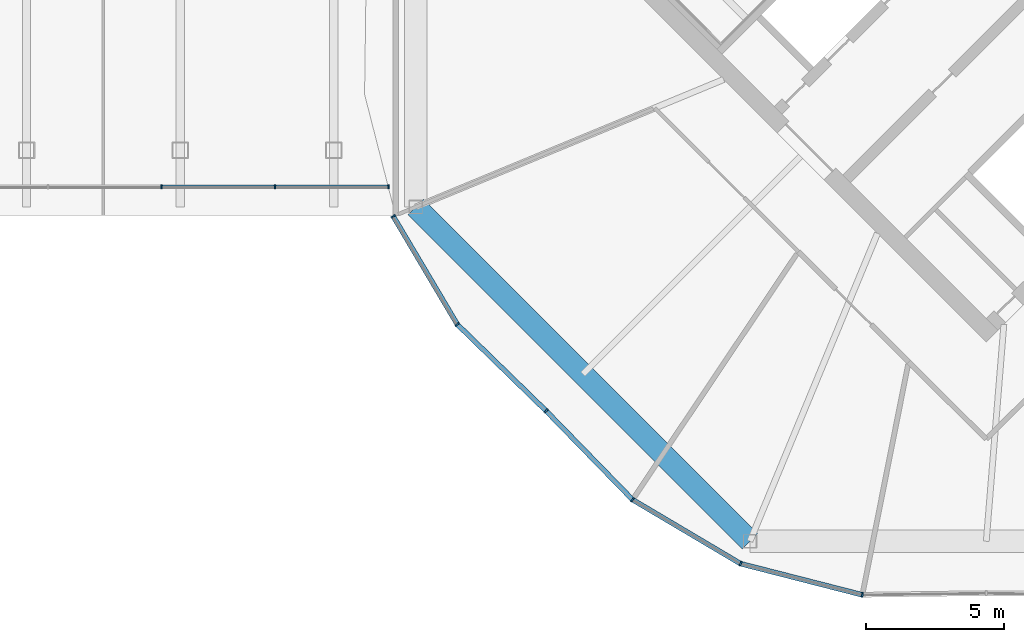
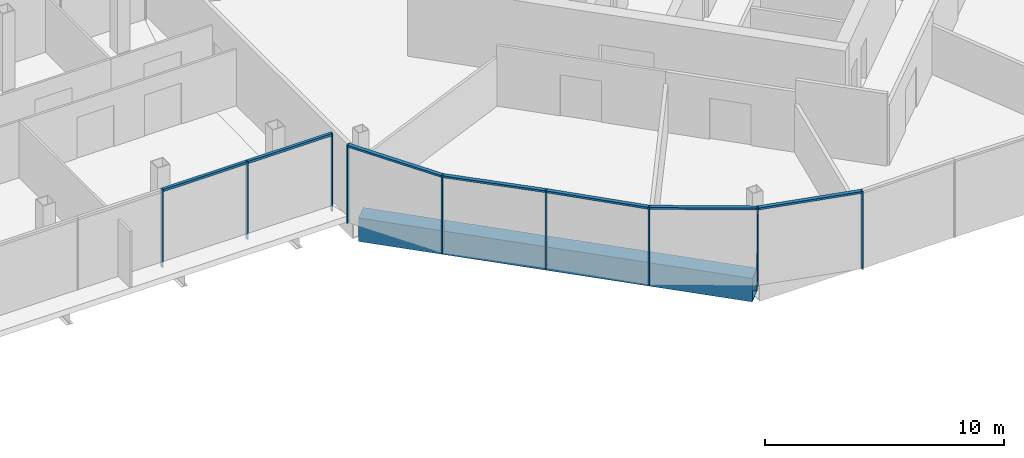
# One storey, part 11 of 25: 16 members, 1 beam, 3 elements without a shape of their own.
"""IFC4 building model written with IfcOpenShell, lengths in metres."""

from ifc_helpers import new_model, si_unit, direction, frame, origin, origin_2d, place, context, subcontext, project, spatial, rectangle, hollow_rectangle, extrude, material, material_profile, profile_set, type_object, element, aggregate, save


model = new_model("IFC4")

# Units and contexts
model_context = context("Model", 3, precision=1e-05, world=origin(), true_north=direction((0.0, 1.0)))
body_context = subcontext(model_context, "Body", "Model", "MODEL_VIEW")
ifc_project = project(units=[si_unit("LENGTHUNIT", "METRE"), si_unit("AREAUNIT", "SQUARE_METRE"), si_unit("VOLUMEUNIT", "CUBIC_METRE"), si_unit("PLANEANGLEUNIT", "RADIAN"), si_unit("MASSUNIT", "GRAM", prefix="KILO")], contexts=[model_context])

# Site, building, storey
site_placement = place(None, origin())
site = spatial("IfcSite", under=ifc_project, at=site_placement, CompositionType="ELEMENT")
building_placement = place(site_placement, origin())
building = spatial("IfcBuilding", under=site, at=building_placement, Name="Ogive Gate Towers", CompositionType="ELEMENT")
storey_placement = place(building_placement, frame((0.0, 0.0, 152.800048828125)))
storey = spatial("IfcBuildingStorey", under=building, at=storey_placement, Name="L36", CompositionType="ELEMENT", Elevation=152.800048828125)

# Beam
ifc_material_1 = material(Name="Steel SM460", Category="steel")
ifc_material_profile_1 = material_profile(ifc_material_1, hollow_rectangle(XDim=0.800048828125, YDim=1.199951171875, WallThickness=0.050048828125, at=origin_2d()), Name="BX 1200x800x50")
ifc_profile_set_1 = profile_set([ifc_material_profile_1], Name="Steel SM460")
beam_type = type_object("IfcBeamType", Name="Edge girder BX 1200x800x50", PredefinedType="BEAM", material=ifc_profile_set_1)
beam_placement = place(storey_placement, frame((15.360595703125, -8.549072265625, -0.900146484375), z_axis=(0.707106781187, -0.707106781187, 0.0), x_axis=(0.707106781187, 0.707106781187, 0.0)))
element("IfcBeam", 1, at=beam_placement, inside=storey, type_object=beam_type, Name="T2/L36/SBM017", PredefinedType="BEAM", context=body_context, shape_type="SweptSolid", body=[
    extrude(hollow_rectangle(XDim=0.800048828125, YDim=1.199951171875, WallThickness=0.050048828125, at=origin_2d()), origin(), (0.0, 0.0, 1.0), 17.098388671875),
])

# Curtain wall, members
ifc_material_2 = material(Name="Pale metal aluminium", Category="aluminium")
curtain_wall_type_1 = type_object("IfcCurtainWallType", Name="Gate block facade", PredefinedType="NOTDEFINED", material=ifc_material_2)
curtain_wall_1_placement = place(storey_placement, origin())
curtain_wall_1 = element("IfcCurtainWall", 2, at=curtain_wall_1_placement, inside=storey, type_object=curtain_wall_type_1, Name="CW3 BR ECW01", PredefinedType="NOTDEFINED")
ifc_material_profile_2 = material_profile(ifc_material_2, rectangle(XDim=0.139892578125, YDim=0.06005859375, at=origin_2d()), Name="60 x 140 aluminium box")
ifc_profile_set_2 = profile_set([ifc_material_profile_2], Name="Pale metal aluminium")
member_type_1 = type_object("IfcMemberType", Name="Gate block facade mullion 60 x 140", PredefinedType="MULLION", material=ifc_profile_set_2)
member_1_placement = place(storey_placement, frame((6.16064453125, -7.821533203125, -0.300048828125), z_axis=(0.0, 0.0, 1.0), x_axis=(0.0, -1.0, 0.0)))
member_1 = element("IfcMember", 3, at=member_1_placement, type_object=member_type_1, Name="CW3 mullion", PredefinedType="MULLION", context=body_context, shape_type="SweptSolid", body=[
    extrude(rectangle(XDim=0.139892578125, YDim=0.06005859375, at=origin_2d()), origin(), (0.0, 0.0, 1.0), 4.0),
])
member_2_placement = place(storey_placement, frame((10.267578125, -7.821533203125, -0.300048828125), z_axis=(0.0, 0.0, 1.0), x_axis=(0.0, -1.0, 0.0)))
member_2 = element("IfcMember", 4, at=member_2_placement, type_object=member_type_1, Name="CW3 mullion", PredefinedType="MULLION", context=body_context, shape_type="SweptSolid", body=[
    extrude(rectangle(XDim=0.139892578125, YDim=0.06005859375, at=origin_2d()), origin(), (0.0, 0.0, 1.0), 4.0),
])
member_3_placement = place(storey_placement, frame((14.374755859375, -7.821533203125, -0.300048828125), z_axis=(0.0, 0.0, 1.0), x_axis=(0.0, -1.0, 0.0)))
member_3 = element("IfcMember", 5, at=member_3_placement, type_object=member_type_1, Name="CW3 mullion", PredefinedType="MULLION", context=body_context, shape_type="SweptSolid", body=[
    extrude(rectangle(XDim=0.139892578125, YDim=0.06005859375, at=origin_2d()), origin(), (0.0, 0.0, 1.0), 4.0),
])
ifc_material_profile_3 = material_profile(ifc_material_2, rectangle(XDim=0.139892578125, YDim=0.1201171875, at=origin_2d()), Name="120 x 140 aluminium box")
ifc_profile_set_3 = profile_set([ifc_material_profile_3], Name="Pale metal aluminium")
member_type_2 = type_object("IfcMemberType", Name="Gate block facade transom 120 x 140", PredefinedType="USERDEFINED", material=ifc_profile_set_3)
member_4_placement = place(storey_placement, frame((6.190673828125, -7.821533203125, 3.639892578125), z_axis=(1.0, 0.0, 0.0), x_axis=(0.0, 1.0, 0.0)))
member_4 = element("IfcMember", 6, at=member_4_placement, type_object=member_type_2, Name="CW3 transom", ObjectType="TRANSOM", PredefinedType="USERDEFINED", context=body_context, shape_type="SweptSolid", body=[
    extrude(rectangle(XDim=0.139892578125, YDim=0.1201171875, at=origin_2d()), origin(), (0.0, 0.0, 1.0), 4.047119140625),
])
member_5_placement = place(storey_placement, frame((10.297607421875, -7.821533203125, 3.639892578125), z_axis=(1.0, 0.0, 0.0), x_axis=(0.0, 1.0, 0.0)))
member_5 = element("IfcMember", 7, at=member_5_placement, type_object=member_type_2, Name="CW3 transom", ObjectType="TRANSOM", PredefinedType="USERDEFINED", context=body_context, shape_type="SweptSolid", body=[
    extrude(rectangle(XDim=0.139892578125, YDim=0.1201171875, at=origin_2d()), origin(), (0.0, 0.0, 1.0), 4.047119140625),
])
aggregate(curtain_wall_1, [member_1, member_2, member_4, member_3, member_5])

curtain_wall_type_2 = type_object("IfcCurtainWallType", Name="Tower unitised wall, high zone", PredefinedType="NOTDEFINED", material=ifc_material_2)
curtain_wall_2_placement = place(storey_placement, origin())
curtain_wall_2 = element("IfcCurtainWall", 8, at=curtain_wall_2_placement, inside=storey, type_object=curtain_wall_type_2, Name="CW2 T2 ECW05", PredefinedType="NOTDEFINED")
ifc_material_profile_4 = material_profile(ifc_material_2, rectangle(XDim=0.179931640625, YDim=0.06005859375, at=origin_2d()), Name="60 x 180 aluminium box")
ifc_profile_set_4 = profile_set([ifc_material_profile_4], Name="Pale metal aluminium")
member_type_3 = type_object("IfcMemberType", Name="Tower unitised wall, high zone mullion 60 x 180", PredefinedType="MULLION", material=ifc_profile_set_4)
member_6_placement = place(storey_placement, frame((14.5458984375, -8.885009765625, -0.300048828125), z_axis=(0.0, 0.0, 1.0), x_axis=(-0.860306374302, -0.509777345844, 0.0)))
member_6 = element("IfcMember", 9, at=member_6_placement, type_object=member_type_3, Name="CW2 mullion", PredefinedType="MULLION", context=body_context, shape_type="SweptSolid", body=[
    extrude(rectangle(XDim=0.179931640625, YDim=0.06005859375, at=origin_2d()), origin(), (0.0, 0.0, 1.0), 4.0),
])
member_7_placement = place(storey_placement, frame((16.863037109375, -12.79541015625, -0.300048828125), z_axis=(0.0, 0.0, 1.0), x_axis=(-0.78580292387, -0.618476971954, 0.0)))
member_7 = element("IfcMember", 10, at=member_7_placement, type_object=member_type_3, Name="CW2 mullion", PredefinedType="MULLION", context=body_context, shape_type="SweptSolid", body=[
    extrude(rectangle(XDim=0.179931640625, YDim=0.06005859375, at=origin_2d()), origin(), (0.0, 0.0, 1.0), 4.0),
])
member_8_placement = place(storey_placement, frame((20.075927734375, -15.923828125, -0.300048828125), z_axis=(0.0, 0.0, 1.0), x_axis=(-0.697652926882, -0.716435896374, 0.0)))
member_8 = element("IfcMember", 11, at=member_8_placement, type_object=member_type_3, Name="CW2 mullion", PredefinedType="MULLION", context=body_context, shape_type="SweptSolid", body=[
    extrude(rectangle(XDim=0.179931640625, YDim=0.06005859375, at=origin_2d()), origin(), (0.0, 0.0, 1.0), 4.0),
])

curtain_wall_3_placement = place(storey_placement, origin())
curtain_wall_3 = element("IfcCurtainWall", 12, at=curtain_wall_3_placement, inside=storey, type_object=curtain_wall_type_2, Name="CW2 T2 ECW06", PredefinedType="NOTDEFINED")
member_9_placement = place(storey_placement, frame((23.20458984375, -19.136962890625, -0.300048828125), z_axis=(0.0, 0.0, 1.0), x_axis=(-0.618476971954, -0.78580292387, 0.0)))
member_9 = element("IfcMember", 13, at=member_9_placement, type_object=member_type_3, Name="CW2 mullion", PredefinedType="MULLION", context=body_context, shape_type="SweptSolid", body=[
    extrude(rectangle(XDim=0.179931640625, YDim=0.06005859375, at=origin_2d()), origin(), (0.0, 0.0, 1.0), 4.0),
])
member_10_placement = place(storey_placement, frame((27.11376953125, -21.45361328125, -0.300048828125), z_axis=(0.0, 0.0, 1.0), x_axis=(-0.382683432365, -0.923879532511, 0.0)))
member_10 = element("IfcMember", 14, at=member_10_placement, type_object=member_type_3, Name="CW2 mullion", PredefinedType="MULLION", context=body_context, shape_type="SweptSolid", body=[
    extrude(rectangle(XDim=0.179931640625, YDim=0.06005859375, at=origin_2d()), origin(), (0.0, 0.0, 1.0), 4.0),
])
member_11_placement = place(storey_placement, frame((31.515869140625, -22.57958984375, -0.300048828125), z_axis=(0.0, 0.0, 1.0), x_axis=(-0.118317315268, -0.992975837021, 0.0)))
member_11 = element("IfcMember", 15, at=member_11_placement, type_object=member_type_3, Name="CW2 mullion", PredefinedType="MULLION", context=body_context, shape_type="SweptSolid", body=[
    extrude(rectangle(XDim=0.179931640625, YDim=0.06005859375, at=origin_2d()), origin(), (0.0, 0.0, 1.0), 4.0),
])

# Member
ifc_material_profile_5 = material_profile(ifc_material_2, rectangle(XDim=0.179931640625, YDim=0.10009765625, at=origin_2d()), Name="100 x 180 aluminium box")
ifc_profile_set_5 = profile_set([ifc_material_profile_5], Name="Pale metal aluminium")
member_type_4 = type_object("IfcMemberType", Name="Tower unitised wall, high zone transom 100 x 180", PredefinedType="USERDEFINED", material=ifc_profile_set_5)
member_12_placement = place(storey_placement, frame((14.561279296875, -8.910888671875, 3.64990234375), z_axis=(0.509766591489, -0.860312746739, 0.0), x_axis=(0.860312746739, 0.509766591489, 0.0)))
member_12 = element("IfcMember", 16, at=member_12_placement, type_object=member_type_4, Name="CW2 transom", ObjectType="TRANSOM", PredefinedType="USERDEFINED", context=body_context, shape_type="SweptSolid", body=[
    extrude(rectangle(XDim=0.179931640625, YDim=0.10009765625, at=origin_2d()), origin(), (0.0, 0.0, 1.0), 4.486572265625),
])

member_13_placement = place(storey_placement, frame((16.883544921875, -12.8154296875, 3.64990234375), z_axis=(0.71644942086, -0.697639038006, 0.0), x_axis=(0.697639038006, 0.71644942086, 0.0)))
member_13 = element("IfcMember", 17, at=member_13_placement, type_object=member_type_4, Name="CW2 transom", ObjectType="TRANSOM", PredefinedType="USERDEFINED", context=body_context, shape_type="SweptSolid", body=[
    extrude(rectangle(XDim=0.179931640625, YDim=0.10009765625, at=origin_2d()), origin(), (0.0, 0.0, 1.0), 4.42578125),
])

aggregate(curtain_wall_2, [member_6, member_7, member_12, member_8, member_13])

member_14_placement = place(storey_placement, frame((20.096923828125, -15.945556640625, 3.64990234375), z_axis=(0.697639038006, -0.71644942086, 0.0), x_axis=(0.71644942086, 0.697639038006, 0.0)))
member_14 = element("IfcMember", 18, at=member_14_placement, type_object=member_type_4, Name="CW2 transom", ObjectType="TRANSOM", PredefinedType="USERDEFINED", context=body_context, shape_type="SweptSolid", body=[
    extrude(rectangle(XDim=0.179931640625, YDim=0.10009765625, at=origin_2d()), origin(), (0.0, 0.0, 1.0), 4.42578125),
])

member_15_placement = place(storey_placement, frame((23.229248046875, -19.151611328125, 3.64990234375), z_axis=(0.860312746739, -0.509766591489, 0.0), x_axis=(0.509766591489, 0.860312746739, 0.0)))
member_15 = element("IfcMember", 19, at=member_15_placement, type_object=member_type_4, Name="CW2 transom", ObjectType="TRANSOM", PredefinedType="USERDEFINED", context=body_context, shape_type="SweptSolid", body=[
    extrude(rectangle(XDim=0.179931640625, YDim=0.10009765625, at=origin_2d()), origin(), (0.0, 0.0, 1.0), 4.486572265625),
])

member_16_placement = place(storey_placement, frame((27.141357421875, -21.46044921875, 3.64990234375), z_axis=(0.968796323569, -0.247858192196, 0.0), x_axis=(0.247858192196, 0.968796323569, 0.0)))
member_16 = element("IfcMember", 20, at=member_16_placement, type_object=member_type_4, Name="CW2 transom", ObjectType="TRANSOM", PredefinedType="USERDEFINED", context=body_context, shape_type="SweptSolid", body=[
    extrude(rectangle(XDim=0.179931640625, YDim=0.10009765625, at=origin_2d()), origin(), (0.0, 0.0, 1.0), 4.486572265625),
])

aggregate(curtain_wall_3, [member_9, member_14, member_10, member_15, member_11, member_16])

save(model, "model.ifc")
